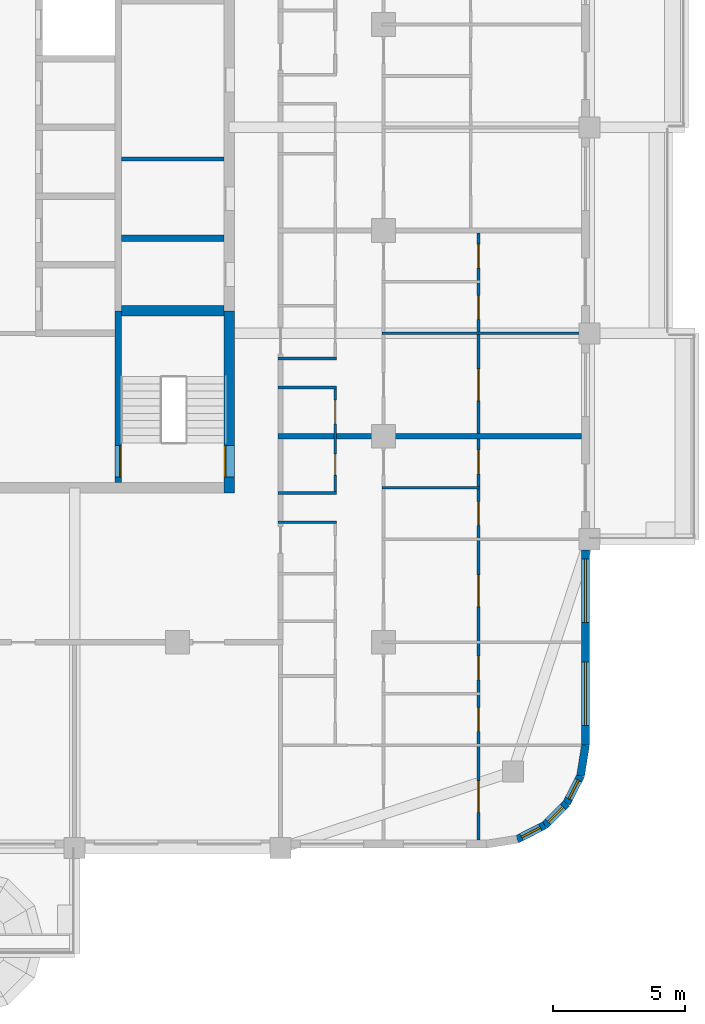
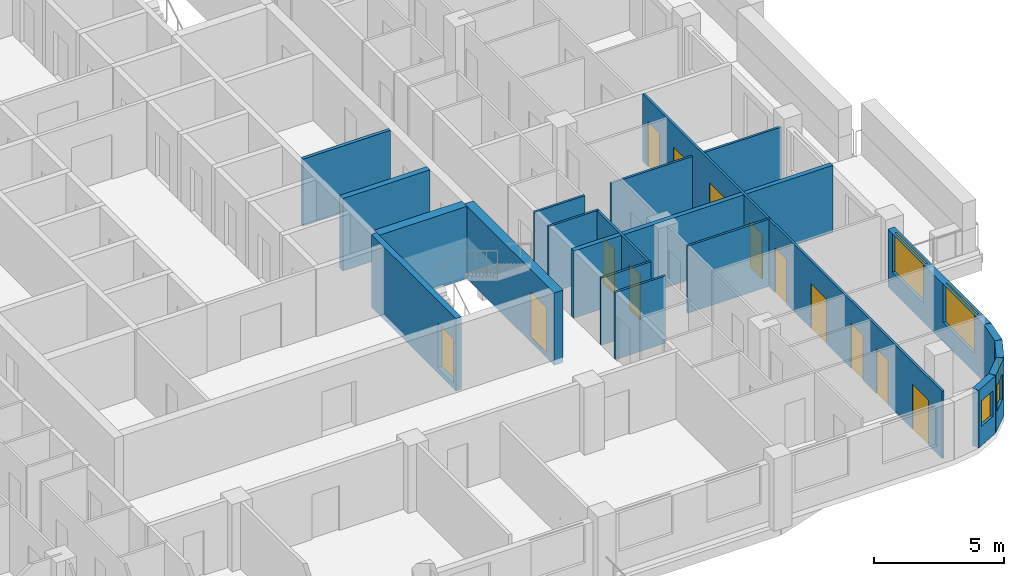
# One storey, part 6 of 17: 19 walls, 13 doors, 5 windows, 18 openings.
"""IFC4 building model written with IfcOpenShell, lengths in metres."""

from ifc_helpers import new_model, si_unit, direction, frame, frame_2d, origin, place, context, subcontext, project, spatial, rectangle, extrude, material, layer, layer_set, type_object, element, fill, save


model = new_model("IFC4")

# Units and contexts
model_context = context("Model", 3, precision=1e-05, world=origin(), true_north=direction((0.0, 1.0)))
body_context = subcontext(model_context, "Body", "Model", "MODEL_VIEW")
ifc_project = project(units=[si_unit("LENGTHUNIT", "METRE"), si_unit("AREAUNIT", "SQUARE_METRE"), si_unit("VOLUMEUNIT", "CUBIC_METRE"), si_unit("PLANEANGLEUNIT", "RADIAN"), si_unit("MASSUNIT", "GRAM", prefix="KILO")], contexts=[model_context])

# Site, building, storey
site_placement = place(None, origin())
site = spatial("IfcSite", under=ifc_project, at=site_placement, CompositionType="ELEMENT")
building_placement = place(site_placement, origin())
building = spatial("IfcBuilding", under=site, at=building_placement, Name="Ludao Terraces", CompositionType="ELEMENT")
storey_placement = place(building_placement, frame((0.0, 0.0, 221.10009765625)))
storey = spatial("IfcBuildingStorey", under=building, at=storey_placement, Name="L60", CompositionType="ELEMENT", Elevation=221.10009765625)

# Wall, opening, door
ifc_material_1 = material(Name="Concrete C50", Category="concrete")
ifc_layer_1 = layer(ifc_material_1, 0.39990234375)
ifc_layer_set_1 = layer_set([ifc_layer_1], Name="Core wall 400 C50")
wall_type_1 = type_object("IfcWallType", Name="Core wall 400 C50", PredefinedType="SOLIDWALL", material=ifc_layer_set_1)
wall_1_placement = place(storey_placement, frame((94.75, 55.050048828125, -0.25), z_axis=(0.0, 0.0, 1.0), x_axis=(0.0, 1.0, 0.0)))
wall_1 = element("IfcWall", 1, at=wall_1_placement, inside=storey, type_object=wall_type_1, Name="Core wall L60 outer-E-S3", PredefinedType="SOLIDWALL", context=body_context, shape_type="SweptSolid", body=[
    extrude(rectangle(XDim=6.89990234375, YDim=0.39990234375, at=frame_2d((3.449951171875, 0.0))), origin(), (0.0, 0.0, 1.0), 3.39990234375),
])
opening_1_placement = place(wall_1_placement, frame((0.60009765625, 0.0, 0.25)))
opening_1 = element("IfcOpeningElement", 2, at=opening_1_placement, cuts=wall_1, Name="Opening R21-039", PredefinedType="OPENING", context=body_context, shape_type="SweptSolid", body=[
    extrude(rectangle(XDim=1.199951171875, YDim=2.10009765625, at=frame_2d((0.60009765625, 1.050048828125))), frame((0.0, 0.2099609375, 0.0), z_axis=(0.0, -1.0, 0.0), x_axis=(1.0, 0.0, 0.0)), (0.0, 0.0, 1.0), 0.419921875),
])
ifc_material_2 = material(Name="Steel Q235", Category="steel")
door_type_1 = type_object("IfcDoorType", Name="INT Stair door 1200", OperationType="DOUBLE_DOOR_SINGLE_SWING", PredefinedType="DOOR", material=ifc_material_2)
door_1_placement = place(opening_1_placement, origin())
door_1 = element("IfcDoor", 3, at=door_1_placement, inside=storey, type_object=door_type_1, Name="DOOR 039", OperationType="DOUBLE_DOOR_SINGLE_SWING", OverallHeight=2.10009765625, OverallWidth=1.199951171875, PredefinedType="DOOR", context=body_context, shape_type="SweptSolid", body=[
    extrude(rectangle(XDim=1.199951171875, YDim=2.10009765625, at=frame_2d((0.60009765625, 1.050048828125))), frame((0.0, 0.18505859375, 0.0), z_axis=(0.0, -1.0, 0.0), x_axis=(1.0, 0.0, 0.0)), (0.0, 0.0, 1.0), 0.050048828125),
])
fill(opening_1, door_1)

# Wall, openings, windows
ifc_material_3 = material(Name="Granite cladding", Category="masonry")
ifc_layer_2 = layer(ifc_material_3, 0.0400390625, Category="stone")
ifc_material_4 = material(Name="Mineral wool")
ifc_layer_3 = layer(ifc_material_4, 0.06005859375)
ifc_material_5 = material(Name="Concrete C40", Category="concrete")
ifc_layer_4 = layer(ifc_material_5, 0.199951171875, Category="concrete")
ifc_layer_set_2 = layer_set([ifc_layer_2, ifc_layer_3, ifc_layer_4], Name="ENV Stone-clad wall 300")
wall_type_2 = type_object("IfcWallType", Name="ENV Stone-clad wall 300", PredefinedType="SOLIDWALL", material=ifc_layer_set_2)
wall_2_placement = place(storey_placement, frame((108.25, 45.5, 0.0), z_axis=(0.0, 0.0, 1.0), x_axis=(0.0, 1.0, 0.0)))
wall_2 = element("IfcWall", 4, at=wall_2_placement, inside=storey, type_object=wall_type_2, Name="EW-L60-E1", PredefinedType="SOLIDWALL", context=body_context, shape_type="SweptSolid", body=[
    extrude(rectangle(XDim=7.39990234375, YDim=0.300048828125, at=frame_2d((3.699951171875, 0.0))), origin(), (0.0, 0.0, 1.0), 2.699951171875),
])
opening_2_placement = place(wall_2_placement, frame((0.75, 0.0, 0.89990234375)))
opening_2 = element("IfcOpeningElement", 5, at=opening_2_placement, cuts=wall_2, Name="Opening W1", PredefinedType="OPENING", context=body_context, shape_type="SweptSolid", body=[
    extrude(rectangle(XDim=2.39990234375, YDim=1.800048828125, at=frame_2d((1.199951171875, 0.89990234375))), frame((0.0, 0.16015625, 0.0), z_axis=(0.0, -1.0, 0.0), x_axis=(1.0, 0.0, 0.0)), (0.0, 0.0, 1.0), 0.320068359375),
])
opening_3_placement = place(wall_2_placement, frame((4.64990234375, 0.0, 0.89990234375)))
opening_3 = element("IfcOpeningElement", 6, at=opening_3_placement, cuts=wall_2, Name="Opening W1", PredefinedType="OPENING", context=body_context, shape_type="SweptSolid", body=[
    extrude(rectangle(XDim=2.39990234375, YDim=1.800048828125, at=frame_2d((1.199951171875, 0.89990234375))), frame((0.0, 0.16015625, 0.0), z_axis=(0.0, -1.0, 0.0), x_axis=(1.0, 0.0, 0.0)), (0.0, 0.0, 1.0), 0.320068359375),
])
ifc_material_6 = material(Name="Clear glass in aluminium frame", Category="aluminium")
ifc_layer_5 = layer(ifc_material_6, 0.06005859375)
ifc_layer_set_3 = layer_set([ifc_layer_5], Name="ENV Window W1 2400x1800")
window_type_1 = type_object("IfcWindowType", Name="ENV Window W1 2400x1800", PartitioningType="DOUBLE_PANEL_VERTICAL", PredefinedType="WINDOW", material=ifc_layer_set_3)
window_1_placement = place(opening_2_placement, origin())
window_1 = element("IfcWindow", 7, at=window_1_placement, inside=storey, type_object=window_type_1, Name="W-L60-E1-1", OverallHeight=1.800048828125, OverallWidth=2.39990234375, PartitioningType="DOUBLE_PANEL_VERTICAL", PredefinedType="WINDOW", context=body_context, shape_type="SweptSolid", body=[
    extrude(rectangle(XDim=2.39990234375, YDim=1.800048828125, at=frame_2d((1.199951171875, 0.89990234375))), frame((0.0, 0.030029296875, 0.0), z_axis=(0.0, -1.0, 0.0), x_axis=(1.0, 0.0, 0.0)), (0.0, 0.0, 1.0), 0.06005859375),
])
fill(opening_2, window_1)
window_2_placement = place(opening_3_placement, origin())
window_2 = element("IfcWindow", 8, at=window_2_placement, inside=storey, type_object=window_type_1, Name="W-L60-E1-2", OverallHeight=1.800048828125, OverallWidth=2.39990234375, PartitioningType="DOUBLE_PANEL_VERTICAL", PredefinedType="WINDOW", context=body_context, shape_type="SweptSolid", body=[
    extrude(rectangle(XDim=2.39990234375, YDim=1.800048828125, at=frame_2d((1.199951171875, 0.89990234375))), frame((0.0, 0.030029296875, 0.0), z_axis=(0.0, -1.0, 0.0), x_axis=(1.0, 0.0, 0.0)), (0.0, 0.0, 1.0), 0.06005859375),
])
fill(opening_3, window_2)

# Wall, opening, window
wall_3_placement = place(storey_placement, frame((105.65869140625, 41.93359375, 0.0), z_axis=(0.0, 0.0, 1.0), x_axis=(0.890988677504, 0.454025524128, 0.0)))
wall_3 = element("IfcWall", 9, at=wall_3_placement, inside=storey, type_object=wall_type_2, Name="EW-L60-SE2", PredefinedType="SOLIDWALL", context=body_context, shape_type="SweptSolid", body=[
    extrude(rectangle(XDim=1.17333984375, YDim=0.300048828125, at=frame_2d((0.586669921875, 0.0))), origin(), (0.0, 0.0, 1.0), 2.699951171875),
])
opening_4_placement = place(wall_3_placement, frame((0.1865234375, 0.0, 0.89990234375)))
opening_4 = element("IfcOpeningElement", 10, at=opening_4_placement, cuts=wall_3, Name="Opening W3", PredefinedType="OPENING", context=body_context, shape_type="SweptSolid", body=[
    extrude(rectangle(XDim=0.800048828125, YDim=1.199951171875, at=frame_2d((0.39990234375, 0.60009765625))), frame((0.0, 0.16015625, 0.0), z_axis=(0.0, -1.0, 0.0), x_axis=(1.0, 0.0, 0.0)), (0.0, 0.0, 1.0), 0.320068359375),
])
ifc_layer_6 = layer(ifc_material_6, 0.06005859375)
ifc_layer_set_4 = layer_set([ifc_layer_6], Name="ENV Window W3 800x1200")
window_type_2 = type_object("IfcWindowType", Name="ENV Window W3 800x1200", PartitioningType="SINGLE_PANEL", PredefinedType="WINDOW", material=ifc_layer_set_4)
window_3_placement = place(opening_4_placement, origin())
window_3 = element("IfcWindow", 11, at=window_3_placement, inside=storey, type_object=window_type_2, Name="W-L60-SE2", OverallHeight=1.199951171875, OverallWidth=0.800048828125, PartitioningType="SINGLE_PANEL", PredefinedType="WINDOW", context=body_context, shape_type="SweptSolid", body=[
    extrude(rectangle(XDim=0.800048828125, YDim=1.199951171875, at=frame_2d((0.39990234375, 0.60009765625))), frame((0.0, 0.030029296875, 0.0), z_axis=(0.0, -1.0, 0.0), x_axis=(1.0, 0.0, 0.0)), (0.0, 0.0, 1.0), 0.06005859375),
])
fill(opening_4, window_3)

wall_4_placement = place(storey_placement, frame((106.7041015625, 42.46630859375, 0.0), z_axis=(0.0, 0.0, 1.0), x_axis=(0.707106781187, 0.707106781187, 0.0)))
wall_4 = element("IfcWall", 12, at=wall_4_placement, inside=storey, type_object=wall_type_2, Name="EW-L60-SE3", PredefinedType="SOLIDWALL", context=body_context, shape_type="SweptSolid", body=[
    extrude(rectangle(XDim=1.173095703125, YDim=0.300048828125, at=frame_2d((0.58642578125, 0.0))), origin(), (0.0, 0.0, 1.0), 2.699951171875),
])
opening_5_placement = place(wall_4_placement, frame((0.1865234375, 0.0, 0.89990234375)))
opening_5 = element("IfcOpeningElement", 13, at=opening_5_placement, cuts=wall_4, Name="Opening W3", PredefinedType="OPENING", context=body_context, shape_type="SweptSolid", body=[
    extrude(rectangle(XDim=0.800048828125, YDim=1.199951171875, at=frame_2d((0.39990234375, 0.60009765625))), frame((0.0, 0.16015625, 0.0), z_axis=(0.0, -1.0, 0.0), x_axis=(1.0, 0.0, 0.0)), (0.0, 0.0, 1.0), 0.320068359375),
])
window_4_placement = place(opening_5_placement, origin())
window_4 = element("IfcWindow", 14, at=window_4_placement, inside=storey, type_object=window_type_2, Name="W-L60-SE3", OverallHeight=1.199951171875, OverallWidth=0.800048828125, PartitioningType="SINGLE_PANEL", PredefinedType="WINDOW", context=body_context, shape_type="SweptSolid", body=[
    extrude(rectangle(XDim=0.800048828125, YDim=1.199951171875, at=frame_2d((0.39990234375, 0.60009765625))), frame((0.0, 0.030029296875, 0.0), z_axis=(0.0, -1.0, 0.0), x_axis=(1.0, 0.0, 0.0)), (0.0, 0.0, 1.0), 0.06005859375),
])
fill(opening_5, window_4)

wall_5_placement = place(storey_placement, frame((107.53369140625, 43.2958984375, 0.0), z_axis=(0.0, 0.0, 1.0), x_axis=(0.454025524128, 0.890988677504, 0.0)))
wall_5 = element("IfcWall", 15, at=wall_5_placement, inside=storey, type_object=wall_type_2, Name="EW-L60-SE4", PredefinedType="SOLIDWALL", context=body_context, shape_type="SweptSolid", body=[
    extrude(rectangle(XDim=1.17333984375, YDim=0.300048828125, at=frame_2d((0.586669921875, 0.0))), origin(), (0.0, 0.0, 1.0), 2.699951171875),
])
opening_6_placement = place(wall_5_placement, frame((0.1865234375, 0.0, 0.89990234375)))
opening_6 = element("IfcOpeningElement", 16, at=opening_6_placement, cuts=wall_5, Name="Opening W3", PredefinedType="OPENING", context=body_context, shape_type="SweptSolid", body=[
    extrude(rectangle(XDim=0.800048828125, YDim=1.199951171875, at=frame_2d((0.39990234375, 0.60009765625))), frame((0.0, 0.16015625, 0.0), z_axis=(0.0, -1.0, 0.0), x_axis=(1.0, 0.0, 0.0)), (0.0, 0.0, 1.0), 0.320068359375),
])
window_5_placement = place(opening_6_placement, origin())
window_5 = element("IfcWindow", 17, at=window_5_placement, inside=storey, type_object=window_type_2, Name="W-L60-SE4", OverallHeight=1.199951171875, OverallWidth=0.800048828125, PartitioningType="SINGLE_PANEL", PredefinedType="WINDOW", context=body_context, shape_type="SweptSolid", body=[
    extrude(rectangle(XDim=0.800048828125, YDim=1.199951171875, at=frame_2d((0.39990234375, 0.60009765625))), frame((0.0, 0.030029296875, 0.0), z_axis=(0.0, -1.0, 0.0), x_axis=(1.0, 0.0, 0.0)), (0.0, 0.0, 1.0), 0.06005859375),
])
fill(opening_6, window_5)

# Walls
wall_6_placement = place(storey_placement, frame((108.06640625, 44.34130859375, 0.0), z_axis=(0.0, 0.0, 1.0), x_axis=(0.156496880861, 0.987678452879, 0.0)))
element("IfcWall", 18, at=wall_6_placement, inside=storey, type_object=wall_type_2, Name="EW-L60-SE5", PredefinedType="SOLIDWALL", context=body_context, shape_type="SweptSolid", body=[
    extrude(rectangle(XDim=1.173095703125, YDim=0.300048828125, at=frame_2d((0.58642578125, 0.0))), origin(), (0.0, 0.0, 1.0), 2.699951171875),
])
ifc_material_7 = material(Name="Fire-rated gypsum plasterboard", Category="gypsum")
ifc_layer_7 = layer(ifc_material_7, 0.012451171875, Category="gypsum")
ifc_layer_8 = layer(ifc_material_4, 0.10009765625, Name="insulation")
ifc_layer_9 = layer(ifc_material_2, 0.02490234375, Name="stud")
ifc_layer_10 = layer(ifc_material_7, 0.012451171875, Category="gypsum")
ifc_layer_set_5 = layer_set([ifc_layer_7, ifc_layer_8, ifc_layer_9, ifc_layer_10], Name="INT Core partition 150")
wall_type_3 = type_object("IfcWallType", Name="INT Core partition 150", PredefinedType="PARTITIONING", material=ifc_layer_set_5)
wall_7_placement = place(storey_placement, frame((90.675048828125, 67.699951171875, 0.0), z_axis=(0.0, 0.0, 1.0), x_axis=(1.0, 0.0, 0.0)))
element("IfcWall", 19, at=wall_7_placement, inside=storey, type_object=wall_type_3, Name="PW-L60-PW035", PredefinedType="PARTITIONING", context=body_context, shape_type="SweptSolid", body=[
    extrude(rectangle(XDim=3.875, YDim=0.14990234375, at=frame_2d((1.9375, 0.0))), origin(), (0.0, 0.0, 1.0), 3.14990234375),
])
ifc_material_8 = material(Name="Gypsum plasterboard", Category="gypsum")
ifc_layer_11 = layer(ifc_material_8, 0.012451171875, Category="gypsum")
ifc_layer_12 = layer(ifc_material_4, 0.06005859375, Name="insulation")
ifc_layer_13 = layer(ifc_material_2, 0.014892578125, Name="stud")
ifc_layer_14 = layer(ifc_material_8, 0.012451171875, Category="gypsum")
ifc_layer_set_6 = layer_set([ifc_layer_11, ifc_layer_12, ifc_layer_13, ifc_layer_14], Name="INT Partition 100")
wall_type_4 = type_object("IfcWallType", Name="INT Partition 100", PredefinedType="PARTITIONING", material=ifc_layer_set_6)
for number, where, z_axis, x_axis, name in (
    (20, (96.60009765625, 53.949951171875, 0.0), (0.0, 0.0, 1.0), (1.0, 0.0, 0.0), "PW-L60-PW014"),
    (21, (96.60009765625, 55.050048828125, 0.0), (0.0, 0.0, 1.0), (1.0, 0.0, 0.0), "PW-L60-PW016"),
):
    element("IfcWall", number, at=place(storey_placement, frame(where, z_axis=z_axis, x_axis=x_axis)), inside=storey, type_object=wall_type_4, Name=name, PredefinedType="PARTITIONING", context=body_context, shape_type="SweptSolid", body=[
        extrude(rectangle(XDim=2.219970703125, YDim=0.10009765625, at=frame_2d((1.10986328125, 0.0))), origin(), (0.0, 0.0, 1.0), 3.14990234375),
    ])
wall_8_placement = place(storey_placement, frame((100.550048828125, 55.25, 0.0), z_axis=(0.0, 0.0, 1.0), x_axis=(1.0, 0.0, 0.0)))
element("IfcWall", 22, at=wall_8_placement, inside=storey, type_object=wall_type_4, Name="PW-L60-PW018", PredefinedType="PARTITIONING", context=body_context, shape_type="SweptSolid", body=[
    extrude(rectangle(XDim=3.699951171875, YDim=0.10009765625, at=frame_2d((1.85009765625, 0.0))), origin(), (0.0, 0.0, 1.0), 3.14990234375),
])
for number, where, z_axis, x_axis, name in (
    (23, (96.60009765625, 59.050048828125, 0.0), (0.0, 0.0, 1.0), (1.0, 0.0, 0.0), "PW-L60-PW023"),
    (24, (96.60009765625, 60.14990234375, 0.0), (0.0, 0.0, 1.0), (1.0, 0.0, 0.0), "PW-L60-PW025"),
):
    element("IfcWall", number, at=place(storey_placement, frame(where, z_axis=z_axis, x_axis=x_axis)), inside=storey, type_object=wall_type_4, Name=name, PredefinedType="PARTITIONING", context=body_context, shape_type="SweptSolid", body=[
        extrude(rectangle(XDim=2.219970703125, YDim=0.10009765625, at=frame_2d((1.10986328125, 0.0))), origin(), (0.0, 0.0, 1.0), 3.14990234375),
    ])
wall_9_placement = place(storey_placement, frame((100.550048828125, 61.10009765625, 0.0), z_axis=(0.0, 0.0, 1.0), x_axis=(1.0, 0.0, 0.0)))
element("IfcWall", 25, at=wall_9_placement, inside=storey, type_object=wall_type_4, Name="PW-L60-PW028", PredefinedType="PARTITIONING", context=body_context, shape_type="SweptSolid", body=[
    extrude(rectangle(XDim=7.550048828125, YDim=0.10009765625, at=frame_2d((3.77490234375, 0.0))), origin(), (0.0, 0.0, 1.0), 2.5498046875),
])

# Wall, openings, doors
wall_10_placement = place(storey_placement, frame((98.77001953125, 55.10009765625, 0.0), z_axis=(0.0, 0.0, 1.0), x_axis=(0.0, 1.0, 0.0)))
wall_10 = element("IfcWall", 26, at=wall_10_placement, inside=storey, type_object=wall_type_4, Name="PW-L60-PW093", PredefinedType="PARTITIONING", context=body_context, shape_type="SweptSolid", body=[
    extrude(rectangle(XDim=3.89990234375, YDim=0.10009765625, at=frame_2d((1.949951171875, 0.0))), origin(), (0.0, 0.0, 1.0), 3.14990234375),
])
opening_7_placement = place(wall_10_placement, frame((0.625, 0.0, 0.0)))
opening_7 = element("IfcOpeningElement", 27, at=opening_7_placement, cuts=wall_10, Name="Opening R21-035", PredefinedType="OPENING", context=body_context, shape_type="SweptSolid", body=[
    extrude(rectangle(XDim=0.800048828125, YDim=2.10009765625, at=frame_2d((0.39990234375, 1.050048828125))), frame((0.0, 0.06005859375, 0.0), z_axis=(0.0, -1.0, 0.0), x_axis=(1.0, 0.0, 0.0)), (0.0, 0.0, 1.0), 0.1201171875),
])
opening_8_placement = place(wall_10_placement, frame((2.574951171875, 0.0, 0.0)))
opening_8 = element("IfcOpeningElement", 28, at=opening_8_placement, cuts=wall_10, Name="Opening R21-041", PredefinedType="OPENING", context=body_context, shape_type="SweptSolid", body=[
    extrude(rectangle(XDim=0.89990234375, YDim=2.10009765625, at=frame_2d((0.449951171875, 1.050048828125))), frame((0.0, 0.06005859375, 0.0), z_axis=(0.0, -1.0, 0.0), x_axis=(1.0, 0.0, 0.0)), (0.0, 0.0, 1.0), 0.1201171875),
])
ifc_material_9 = material(Name="Timber door leaf", Category="wood")
door_type_2 = type_object("IfcDoorType", Name="INT Bathroom door 900", OperationType="SINGLE_SWING_LEFT", PredefinedType="DOOR", material=ifc_material_9)
door_2_placement = place(opening_8_placement, origin())
door_2 = element("IfcDoor", 29, at=door_2_placement, inside=storey, type_object=door_type_2, Name="DOOR 041", OperationType="SINGLE_SWING_LEFT", OverallHeight=2.10009765625, OverallWidth=0.89990234375, PredefinedType="DOOR", context=body_context, shape_type="SweptSolid", body=[
    extrude(rectangle(XDim=0.89990234375, YDim=2.10009765625, at=frame_2d((0.449951171875, 1.050048828125))), frame((0.0, 0.02490234375, 0.0), z_axis=(0.0, -1.0, 0.0), x_axis=(1.0, 0.0, 0.0)), (0.0, 0.0, 1.0), 0.050048828125),
])
fill(opening_8, door_2)
door_type_3 = type_object("IfcDoorType", Name="INT Store door 800", OperationType="SINGLE_SWING_LEFT", PredefinedType="DOOR", material=ifc_material_9)
door_3_placement = place(opening_7_placement, origin())
door_3 = element("IfcDoor", 30, at=door_3_placement, inside=storey, type_object=door_type_3, Name="DOOR 035", OperationType="SINGLE_SWING_RIGHT", OverallHeight=2.10009765625, OverallWidth=0.800048828125, PredefinedType="DOOR", context=body_context, shape_type="SweptSolid", body=[
    extrude(rectangle(XDim=0.800048828125, YDim=2.10009765625, at=frame_2d((0.39990234375, 1.050048828125))), frame((0.0, 0.02490234375, 0.0), z_axis=(0.0, -1.0, 0.0), x_axis=(1.0, 0.0, 0.0)), (0.0, 0.0, 1.0), 0.050048828125),
])
fill(opening_7, door_3)

wall_11_placement = place(storey_placement, frame((104.199951171875, 41.900146484375, 0.0), z_axis=(0.0, 0.0, 1.0), x_axis=(0.0, 1.0, 0.0)))
wall_11 = element("IfcWall", 31, at=wall_11_placement, inside=storey, type_object=wall_type_4, Name="PW-L60-PW099", PredefinedType="PARTITIONING", context=body_context, shape_type="SweptSolid", body=[
    extrude(rectangle(XDim=23.0, YDim=0.10009765625, at=frame_2d((11.5, 0.0))), origin(), (0.0, 0.0, 1.0), 3.14990234375),
])
opening_9_placement = place(wall_11_placement, frame((1.050048828125, 0.0, 0.0)))
opening_9 = element("IfcOpeningElement", 32, at=opening_9_placement, cuts=wall_11, Name="Opening R21-004", PredefinedType="OPENING", context=body_context, shape_type="SweptSolid", body=[
    extrude(rectangle(XDim=1.199951171875, YDim=2.10009765625, at=frame_2d((0.60009765625, 1.050048828125))), frame((0.0, 0.06005859375, 0.0), z_axis=(0.0, -1.0, 0.0), x_axis=(1.0, 0.0, 0.0)), (0.0, 0.0, 1.0), 0.1201171875),
])
opening_10_placement = place(wall_11_placement, frame((4.125, 0.0, 0.0)))
opening_10 = element("IfcOpeningElement", 33, at=opening_10_placement, cuts=wall_11, Name="Opening R21-008", PredefinedType="OPENING", context=body_context, shape_type="SweptSolid", body=[
    extrude(rectangle(XDim=0.89990234375, YDim=2.10009765625, at=frame_2d((0.449951171875, 1.050048828125))), frame((0.0, 0.06005859375, 0.0), z_axis=(0.0, -1.0, 0.0), x_axis=(1.0, 0.0, 0.0)), (0.0, 0.0, 1.0), 0.1201171875),
])
opening_11_placement = place(wall_11_placement, frame((6.074951171875, 0.0, 0.0)))
opening_11 = element("IfcOpeningElement", 34, at=opening_11_placement, cuts=wall_11, Name="Opening R21-014", PredefinedType="OPENING", context=body_context, shape_type="SweptSolid", body=[
    extrude(rectangle(XDim=0.89990234375, YDim=2.10009765625, at=frame_2d((0.449951171875, 1.050048828125))), frame((0.0, 0.06005859375, 0.0), z_axis=(0.0, -1.0, 0.0), x_axis=(1.0, 0.0, 0.0)), (0.0, 0.0, 1.0), 0.1201171875),
])
opening_12_placement = place(wall_11_placement, frame((8.85009765625, 0.0, 0.0)))
opening_12 = element("IfcOpeningElement", 35, at=opening_12_placement, cuts=wall_11, Name="Opening R21-025", PredefinedType="OPENING", context=body_context, shape_type="SweptSolid", body=[
    extrude(rectangle(XDim=1.199951171875, YDim=2.10009765625, at=frame_2d((0.60009765625, 1.050048828125))), frame((0.0, 0.06005859375, 0.0), z_axis=(0.0, -1.0, 0.0), x_axis=(1.0, 0.0, 0.0)), (0.0, 0.0, 1.0), 0.1201171875),
])
opening_13_placement = place(wall_11_placement, frame((11.925048828125, 0.0, 0.0)))
opening_13 = element("IfcOpeningElement", 36, at=opening_13_placement, cuts=wall_11, Name="Opening R21-030", PredefinedType="OPENING", context=body_context, shape_type="SweptSolid", body=[
    extrude(rectangle(XDim=0.89990234375, YDim=2.10009765625, at=frame_2d((0.449951171875, 1.050048828125))), frame((0.0, 0.06005859375, 0.0), z_axis=(0.0, -1.0, 0.0), x_axis=(1.0, 0.0, 0.0)), (0.0, 0.0, 1.0), 0.1201171875),
])
opening_14_placement = place(wall_11_placement, frame((13.875, 0.0, 0.0)))
opening_14 = element("IfcOpeningElement", 37, at=opening_14_placement, cuts=wall_11, Name="Opening R21-037", PredefinedType="OPENING", context=body_context, shape_type="SweptSolid", body=[
    extrude(rectangle(XDim=0.89990234375, YDim=2.10009765625, at=frame_2d((0.449951171875, 1.050048828125))), frame((0.0, 0.06005859375, 0.0), z_axis=(0.0, -1.0, 0.0), x_axis=(1.0, 0.0, 0.0)), (0.0, 0.0, 1.0), 0.1201171875),
])
opening_15_placement = place(wall_11_placement, frame((16.64990234375, 0.0, 0.0)))
opening_15 = element("IfcOpeningElement", 38, at=opening_15_placement, cuts=wall_11, Name="Opening R21-045", PredefinedType="OPENING", context=body_context, shape_type="SweptSolid", body=[
    extrude(rectangle(XDim=1.199951171875, YDim=2.10009765625, at=frame_2d((0.60009765625, 1.050048828125))), frame((0.0, 0.06005859375, 0.0), z_axis=(0.0, -1.0, 0.0), x_axis=(1.0, 0.0, 0.0)), (0.0, 0.0, 1.0), 0.1201171875),
])
opening_16_placement = place(wall_11_placement, frame((19.72509765625, 0.0, 0.0)))
opening_16 = element("IfcOpeningElement", 39, at=opening_16_placement, cuts=wall_11, Name="Opening R21-052", PredefinedType="OPENING", context=body_context, shape_type="SweptSolid", body=[
    extrude(rectangle(XDim=0.89990234375, YDim=2.10009765625, at=frame_2d((0.449951171875, 1.050048828125))), frame((0.0, 0.06005859375, 0.0), z_axis=(0.0, -1.0, 0.0), x_axis=(1.0, 0.0, 0.0)), (0.0, 0.0, 1.0), 0.1201171875),
])
opening_17_placement = place(wall_11_placement, frame((21.675048828125, 0.0, 0.0)))
opening_17 = element("IfcOpeningElement", 40, at=opening_17_placement, cuts=wall_11, Name="Opening R21-062", PredefinedType="OPENING", context=body_context, shape_type="SweptSolid", body=[
    extrude(rectangle(XDim=0.89990234375, YDim=2.10009765625, at=frame_2d((0.449951171875, 1.050048828125))), frame((0.0, 0.06005859375, 0.0), z_axis=(0.0, -1.0, 0.0), x_axis=(1.0, 0.0, 0.0)), (0.0, 0.0, 1.0), 0.1201171875),
])
door_4_placement = place(opening_10_placement, origin())
door_4 = element("IfcDoor", 41, at=door_4_placement, inside=storey, type_object=door_type_2, Name="DOOR 008", OperationType="SINGLE_SWING_LEFT", OverallHeight=2.10009765625, OverallWidth=0.89990234375, PredefinedType="DOOR", context=body_context, shape_type="SweptSolid", body=[
    extrude(rectangle(XDim=0.89990234375, YDim=2.10009765625, at=frame_2d((0.449951171875, 1.050048828125))), frame((0.0, 0.02490234375, 0.0), z_axis=(0.0, -1.0, 0.0), x_axis=(1.0, 0.0, 0.0)), (0.0, 0.0, 1.0), 0.050048828125),
])
fill(opening_10, door_4)
door_5_placement = place(opening_13_placement, origin())
door_5 = element("IfcDoor", 42, at=door_5_placement, inside=storey, type_object=door_type_2, Name="DOOR 030", OperationType="SINGLE_SWING_LEFT", OverallHeight=2.10009765625, OverallWidth=0.89990234375, PredefinedType="DOOR", context=body_context, shape_type="SweptSolid", body=[
    extrude(rectangle(XDim=0.89990234375, YDim=2.10009765625, at=frame_2d((0.449951171875, 1.050048828125))), frame((0.0, 0.02490234375, 0.0), z_axis=(0.0, -1.0, 0.0), x_axis=(1.0, 0.0, 0.0)), (0.0, 0.0, 1.0), 0.050048828125),
])
fill(opening_13, door_5)
door_6_placement = place(opening_16_placement, origin())
door_6 = element("IfcDoor", 43, at=door_6_placement, inside=storey, type_object=door_type_2, Name="DOOR 052", OperationType="SINGLE_SWING_LEFT", OverallHeight=2.10009765625, OverallWidth=0.89990234375, PredefinedType="DOOR", context=body_context, shape_type="SweptSolid", body=[
    extrude(rectangle(XDim=0.89990234375, YDim=2.10009765625, at=frame_2d((0.449951171875, 1.050048828125))), frame((0.0, 0.02490234375, 0.0), z_axis=(0.0, -1.0, 0.0), x_axis=(1.0, 0.0, 0.0)), (0.0, 0.0, 1.0), 0.050048828125),
])
fill(opening_16, door_6)
door_type_4 = type_object("IfcDoorType", Name="INT Double door 1200", OperationType="DOUBLE_DOOR_SINGLE_SWING", PredefinedType="DOOR", material=ifc_material_9)
door_7_placement = place(opening_9_placement, origin())
door_7 = element("IfcDoor", 44, at=door_7_placement, inside=storey, type_object=door_type_4, Name="DOOR 004", OperationType="DOUBLE_DOOR_SINGLE_SWING", OverallHeight=2.10009765625, OverallWidth=1.199951171875, PredefinedType="DOOR", context=body_context, shape_type="SweptSolid", body=[
    extrude(rectangle(XDim=1.199951171875, YDim=2.10009765625, at=frame_2d((0.60009765625, 1.050048828125))), frame((0.0, 0.02490234375, 0.0), z_axis=(0.0, -1.0, 0.0), x_axis=(1.0, 0.0, 0.0)), (0.0, 0.0, 1.0), 0.050048828125),
])
fill(opening_9, door_7)
door_8_placement = place(opening_12_placement, origin())
door_8 = element("IfcDoor", 45, at=door_8_placement, inside=storey, type_object=door_type_4, Name="DOOR 025", OperationType="DOUBLE_DOOR_SINGLE_SWING", OverallHeight=2.10009765625, OverallWidth=1.199951171875, PredefinedType="DOOR", context=body_context, shape_type="SweptSolid", body=[
    extrude(rectangle(XDim=1.199951171875, YDim=2.10009765625, at=frame_2d((0.60009765625, 1.050048828125))), frame((0.0, 0.02490234375, 0.0), z_axis=(0.0, -1.0, 0.0), x_axis=(1.0, 0.0, 0.0)), (0.0, 0.0, 1.0), 0.050048828125),
])
fill(opening_12, door_8)
door_9_placement = place(opening_15_placement, origin())
door_9 = element("IfcDoor", 46, at=door_9_placement, inside=storey, type_object=door_type_4, Name="DOOR 045", OperationType="DOUBLE_DOOR_SINGLE_SWING", OverallHeight=2.10009765625, OverallWidth=1.199951171875, PredefinedType="DOOR", context=body_context, shape_type="SweptSolid", body=[
    extrude(rectangle(XDim=1.199951171875, YDim=2.10009765625, at=frame_2d((0.60009765625, 1.050048828125))), frame((0.0, 0.02490234375, 0.0), z_axis=(0.0, -1.0, 0.0), x_axis=(1.0, 0.0, 0.0)), (0.0, 0.0, 1.0), 0.050048828125),
])
fill(opening_15, door_9)
door_type_5 = type_object("IfcDoorType", Name="INT Room door 900", OperationType="SINGLE_SWING_LEFT", PredefinedType="DOOR", material=ifc_material_9)
door_10_placement = place(opening_11_placement, origin())
door_10 = element("IfcDoor", 47, at=door_10_placement, inside=storey, type_object=door_type_5, Name="DOOR 014", OperationType="SINGLE_SWING_RIGHT", OverallHeight=2.10009765625, OverallWidth=0.89990234375, PredefinedType="DOOR", context=body_context, shape_type="SweptSolid", body=[
    extrude(rectangle(XDim=0.89990234375, YDim=2.10009765625, at=frame_2d((0.449951171875, 1.050048828125))), frame((0.0, 0.02490234375, 0.0), z_axis=(0.0, -1.0, 0.0), x_axis=(1.0, 0.0, 0.0)), (0.0, 0.0, 1.0), 0.050048828125),
])
fill(opening_11, door_10)
door_11_placement = place(opening_14_placement, origin())
door_11 = element("IfcDoor", 48, at=door_11_placement, inside=storey, type_object=door_type_5, Name="DOOR 037", OperationType="SINGLE_SWING_RIGHT", OverallHeight=2.10009765625, OverallWidth=0.89990234375, PredefinedType="DOOR", context=body_context, shape_type="SweptSolid", body=[
    extrude(rectangle(XDim=0.89990234375, YDim=2.10009765625, at=frame_2d((0.449951171875, 1.050048828125))), frame((0.0, 0.02490234375, 0.0), z_axis=(0.0, -1.0, 0.0), x_axis=(1.0, 0.0, 0.0)), (0.0, 0.0, 1.0), 0.050048828125),
])
fill(opening_14, door_11)
door_12_placement = place(opening_17_placement, origin())
door_12 = element("IfcDoor", 49, at=door_12_placement, inside=storey, type_object=door_type_5, Name="DOOR 062", OperationType="SINGLE_SWING_RIGHT", OverallHeight=2.10009765625, OverallWidth=0.89990234375, PredefinedType="DOOR", context=body_context, shape_type="SweptSolid", body=[
    extrude(rectangle(XDim=0.89990234375, YDim=2.10009765625, at=frame_2d((0.449951171875, 1.050048828125))), frame((0.0, 0.02490234375, 0.0), z_axis=(0.0, -1.0, 0.0), x_axis=(1.0, 0.0, 0.0)), (0.0, 0.0, 1.0), 0.050048828125),
])
fill(opening_17, door_12)

# Wall
ifc_material_10 = material(Name="Autoclaved aerated concrete block B06 A3.5", Category="concrete")
ifc_layer_15 = layer(ifc_material_10, 0.199951171875)
ifc_layer_set_7 = layer_set([ifc_layer_15], Name="INT Party wall 200")
wall_type_5 = type_object("IfcWallType", Name="INT Party wall 200", PredefinedType="PARTITIONING", material=ifc_layer_set_7)
wall_12_placement = place(storey_placement, frame((96.60009765625, 57.199951171875, 0.0), z_axis=(0.0, 0.0, 1.0), x_axis=(1.0, 0.0, 0.0)))
element("IfcWall", 50, at=wall_12_placement, inside=storey, type_object=wall_type_5, Name="PW-L60-PW021", PredefinedType="PARTITIONING", context=body_context, shape_type="SweptSolid", body=[
    extrude(rectangle(XDim=11.5, YDim=0.199951171875, at=frame_2d((5.75, 0.0))), origin(), (0.0, 0.0, 1.0), 3.14990234375),
])

# Wall, opening, door
ifc_layer_16 = layer(ifc_material_1, 0.25)
ifc_layer_set_8 = layer_set([ifc_layer_16], Name="Shaft wall 250 C50")
wall_type_6 = type_object("IfcWallType", Name="Shaft wall 250 C50", PredefinedType="SOLIDWALL", material=ifc_layer_set_8)
wall_13_placement = place(storey_placement, frame((90.550048828125, 55.449951171875, -0.25), z_axis=(0.0, 0.0, 1.0), x_axis=(0.0, 1.0, 0.0)))
wall_13 = element("IfcWall", 51, at=wall_13_placement, inside=storey, type_object=wall_type_6, Name="Core wall L60 back-E-S3", PredefinedType="SOLIDWALL", context=body_context, shape_type="SweptSolid", body=[
    extrude(rectangle(XDim=6.5, YDim=0.25, at=frame_2d((3.25, 0.0))), origin(), (0.0, 0.0, 1.0), 3.39990234375),
])
opening_18_placement = place(wall_13_placement, frame((0.199951171875, 0.0, 0.25)))
opening_18 = element("IfcOpeningElement", 52, at=opening_18_placement, cuts=wall_13, Name="Opening R21-038", PredefinedType="OPENING", context=body_context, shape_type="SweptSolid", body=[
    extrude(rectangle(XDim=1.199951171875, YDim=2.10009765625, at=frame_2d((0.60009765625, 1.050048828125))), frame((0.0, 0.135009765625, 0.0), z_axis=(0.0, -1.0, 0.0), x_axis=(1.0, 0.0, 0.0)), (0.0, 0.0, 1.0), 0.27001953125),
])
door_13_placement = place(opening_18_placement, origin())
door_13 = element("IfcDoor", 53, at=door_13_placement, inside=storey, type_object=door_type_1, Name="DOOR 038", OperationType="DOUBLE_DOOR_SINGLE_SWING", OverallHeight=2.10009765625, OverallWidth=1.199951171875, PredefinedType="DOOR", context=body_context, shape_type="SweptSolid", body=[
    extrude(rectangle(XDim=1.199951171875, YDim=2.10009765625, at=frame_2d((0.60009765625, 1.050048828125))), frame((0.0, -0.06005859375, 0.0), z_axis=(0.0, -1.0, 0.0), x_axis=(1.0, 0.0, 0.0)), (0.0, 0.0, 1.0), 0.050048828125),
])
fill(opening_18, door_13)

# Walls
wall_14_placement = place(storey_placement, frame((90.675048828125, 64.699951171875, -0.25), z_axis=(0.0, 0.0, 1.0), x_axis=(1.0, 0.0, 0.0)))
element("IfcWall", 54, at=wall_14_placement, inside=storey, type_object=wall_type_6, Name="Core wall L60 riser-a-E", PredefinedType="SOLIDWALL", context=body_context, shape_type="SweptSolid", body=[
    extrude(rectangle(XDim=3.875, YDim=0.25, at=frame_2d((1.9375, 0.0))), origin(), (0.0, 0.0, 1.0), 3.39990234375),
])
ifc_layer_17 = layer(ifc_material_1, 0.39990234375)
ifc_layer_set_9 = layer_set([ifc_layer_17], Name="Shaft wall 400 C50")
wall_type_7 = type_object("IfcWallType", Name="Shaft wall 400 C50", PredefinedType="SOLIDWALL", material=ifc_layer_set_9)
wall_15_placement = place(storey_placement, frame((90.675048828125, 61.949951171875, -0.25), z_axis=(0.0, 0.0, 1.0), x_axis=(1.0, 0.0, 0.0)))
element("IfcWall", 55, at=wall_15_placement, inside=storey, type_object=wall_type_7, Name="Core wall L60 hall-E", PredefinedType="SOLIDWALL", context=body_context, shape_type="SweptSolid", body=[
    extrude(rectangle(XDim=3.875, YDim=0.39990234375, at=frame_2d((1.9375, 0.0))), origin(), (0.0, 0.0, 1.0), 3.39990234375),
])

save(model, "model.ifc")
